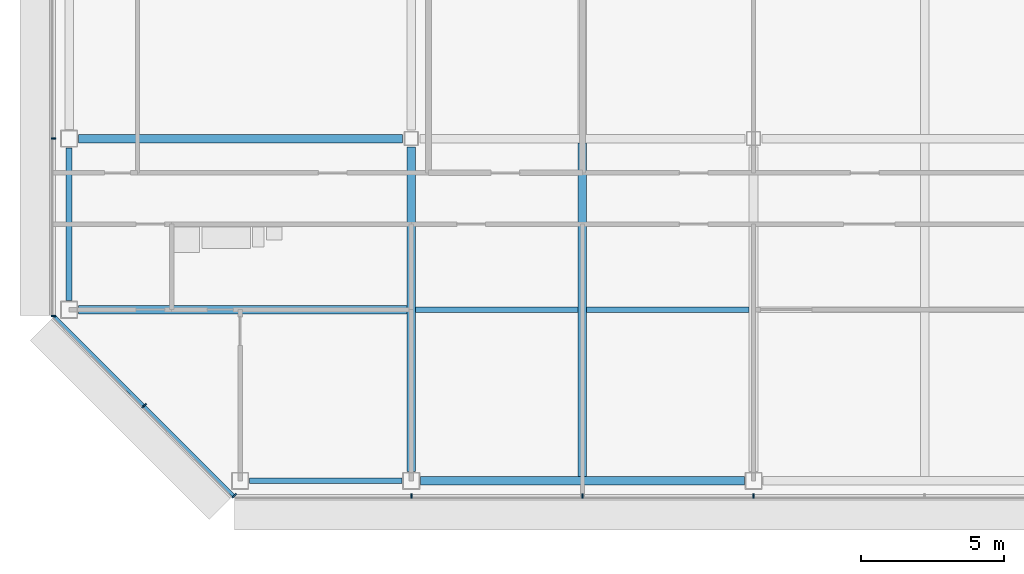
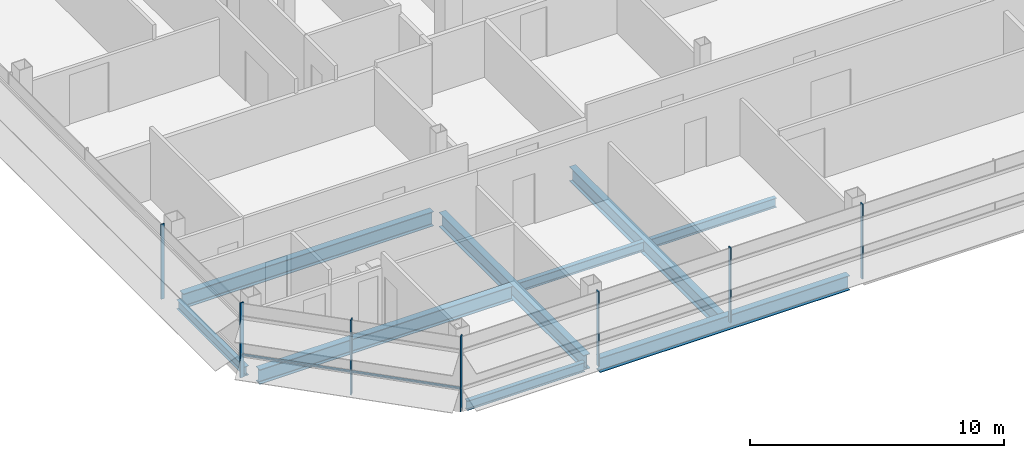
# One storey, part 3 of 27: 9 beams, 8 members, 3 elements without a shape of their own.
"""IFC4 building model written with IfcOpenShell, lengths in metres."""

from ifc_helpers import new_model, si_unit, direction, frame, origin, origin_2d, place, context, subcontext, project, spatial, rectangle, i_section, extrude, material, material_profile, profile_set, type_object, element, aggregate, save


model = new_model("IFC4")

# Units and contexts
model_context = context("Model", 3, precision=1e-05, world=origin(), true_north=direction((0.0, 1.0)))
body_context = subcontext(model_context, "Body", "Model", "MODEL_VIEW")
ifc_project = project(units=[si_unit("LENGTHUNIT", "METRE"), si_unit("AREAUNIT", "SQUARE_METRE"), si_unit("VOLUMEUNIT", "CUBIC_METRE"), si_unit("PLANEANGLEUNIT", "RADIAN"), si_unit("MASSUNIT", "GRAM", prefix="KILO")], contexts=[model_context])

# Site, building, storey
site_placement = place(None, origin())
site = spatial("IfcSite", under=ifc_project, at=site_placement, CompositionType="ELEMENT")
building_placement = place(site_placement, origin())
building = spatial("IfcBuilding", under=site, at=building_placement, Name="Sorahane Residences", CompositionType="ELEMENT")
storey_placement = place(building_placement, frame((0.0, 0.0, 246.800048828125)))
storey = spatial("IfcBuildingStorey", under=building, at=storey_placement, Name="L58", CompositionType="ELEMENT", Elevation=246.800048828125)

# Curtain wall, members
ifc_material_1 = material(Name="Dark low-e glass and black anodised aluminium", Category="aluminium")
curtain_wall_type_1 = type_object("IfcCurtainWallType", Name="Curtain wall CW-1 Typical unitised wall", PredefinedType="NOTDEFINED", material=ifc_material_1)
curtain_wall_1_placement = place(storey_placement, origin())
curtain_wall_1 = element("IfcCurtainWall", 1, at=curtain_wall_1_placement, inside=storey, type_object=curtain_wall_type_1, Name="CW-1 curtain wall L58 S1", PredefinedType="NOTDEFINED")
ifc_material_2 = material(Name="Black anodised aluminium", Category="aluminium")
ifc_material_profile_1 = material_profile(ifc_material_2, rectangle(XDim=0.159912109375, YDim=0.050048828125, at=origin_2d()), Name="Curtain wall mullion CW-1 black anodised aluminium 50x160")
ifc_profile_set_1 = profile_set([ifc_material_profile_1], Name="Black anodised aluminium")
member_type_1 = type_object("IfcMemberType", Name="Curtain wall mullion CW-1 black anodised aluminium 50x160", PredefinedType="MULLION", material=ifc_profile_set_1)
member_1_placement = place(storey_placement, frame((0.0, -0.5400390625, -0.179931640625), z_axis=(0.0, 0.0, 1.0), x_axis=(0.0, -1.0, 0.0)))
member_1 = element("IfcMember", 2, at=member_1_placement, type_object=member_type_1, Name="CW-1 mullion L58 S1.2", PredefinedType="MULLION", context=body_context, shape_type="SweptSolid", body=[
    extrude(rectangle(XDim=0.159912109375, YDim=0.050048828125, at=origin_2d()), origin(), (0.0, 0.0, 1.0), 3.599853515625),
])
member_2_placement = place(storey_placement, frame((6.0, -0.5400390625, -0.179931640625), z_axis=(0.0, 0.0, 1.0), x_axis=(0.0, -1.0, 0.0)))
member_2 = element("IfcMember", 3, at=member_2_placement, type_object=member_type_1, Name="CW-1 mullion L58 S1.3", PredefinedType="MULLION", context=body_context, shape_type="SweptSolid", body=[
    extrude(rectangle(XDim=0.159912109375, YDim=0.050048828125, at=origin_2d()), origin(), (0.0, 0.0, 1.0), 3.599853515625),
])
member_3_placement = place(storey_placement, frame((12.0, -0.5400390625, -0.179931640625), z_axis=(0.0, 0.0, 1.0), x_axis=(0.0, -1.0, 0.0)))
member_3 = element("IfcMember", 4, at=member_3_placement, type_object=member_type_1, Name="CW-1 mullion L58 S1.4", PredefinedType="MULLION", context=body_context, shape_type="SweptSolid", body=[
    extrude(rectangle(XDim=0.159912109375, YDim=0.050048828125, at=origin_2d()), origin(), (0.0, 0.0, 1.0), 3.599853515625),
])
aggregate(curtain_wall_1, [member_1, member_2, member_3])

curtain_wall_2_placement = place(storey_placement, origin())
curtain_wall_2 = element("IfcCurtainWall", 5, at=curtain_wall_2_placement, inside=storey, type_object=curtain_wall_type_1, Name="CW-1 curtain wall L58 W1", PredefinedType="NOTDEFINED")
member_4_placement = place(storey_placement, frame((-12.5400390625, 12.0, -0.179931640625), z_axis=(0.0, 0.0, 1.0), x_axis=(-1.0, 0.0, 0.0)))
member_4 = element("IfcMember", 6, at=member_4_placement, type_object=member_type_1, Name="CW-1 mullion L58 W1.6", PredefinedType="MULLION", context=body_context, shape_type="SweptSolid", body=[
    extrude(rectangle(XDim=0.159912109375, YDim=0.050048828125, at=origin_2d()), origin(), (0.0, 0.0, 1.0), 3.599853515625),
])
member_5_placement = place(storey_placement, frame((-12.5400390625, 5.7763671875, -0.179931640625), z_axis=(0.0, 0.0, 1.0), x_axis=(-1.0, 0.0, 0.0)))
member_5 = element("IfcMember", 7, at=member_5_placement, type_object=member_type_1, Name="CW-1 mullion L58 W1.7", PredefinedType="MULLION", context=body_context, shape_type="SweptSolid", body=[
    extrude(rectangle(XDim=0.159912109375, YDim=0.050048828125, at=origin_2d()), origin(), (0.0, 0.0, 1.0), 3.599853515625),
])
aggregate(curtain_wall_2, [member_4, member_5])

ifc_material_3 = material(Name="Dark low-e glass and black anodised aluminium", Category="aluminium")
curtain_wall_type_2 = type_object("IfcCurtainWallType", Name="Curtain wall CW-2 Chamfer unitised wall", PredefinedType="NOTDEFINED", material=ifc_material_3)
curtain_wall_3_placement = place(storey_placement, origin())
curtain_wall_3 = element("IfcCurtainWall", 8, at=curtain_wall_3_placement, inside=storey, type_object=curtain_wall_type_2, Name="CW-2 curtain wall L58 SW1", PredefinedType="NOTDEFINED")
ifc_material_4 = material(Name="Black anodised aluminium", Category="aluminium")
ifc_material_profile_2 = material_profile(ifc_material_4, rectangle(XDim=0.199951171875, YDim=0.050048828125, at=origin_2d()), Name="Curtain wall mullion CW-2 black anodised aluminium 50x200")
ifc_profile_set_2 = profile_set([ifc_material_profile_2], Name="Black anodised aluminium")
member_type_2 = type_object("IfcMemberType", Name="Curtain wall mullion CW-2 black anodised aluminium 50x200", PredefinedType="MULLION", material=ifc_profile_set_2)
member_6_placement = place(storey_placement, frame((-9.36767578125, 2.63232421875, -0.179931640625), z_axis=(0.0, 0.0, 1.0), x_axis=(-0.707106781187, -0.707106781187, 0.0)))
member_6 = element("IfcMember", 9, at=member_6_placement, type_object=member_type_2, Name="CW-2 mullion L58 SW1.2", PredefinedType="MULLION", context=body_context, shape_type="SweptSolid", body=[
    extrude(rectangle(XDim=0.199951171875, YDim=0.050048828125, at=origin_2d()), origin(), (0.0, 0.0, 1.0), 3.599853515625),
])
member_7_placement = place(storey_placement, frame((-6.209716796875, -0.525634765625, -0.179931640625), z_axis=(0.0, 0.0, 1.0), x_axis=(-0.707106781187, -0.707106781187, 0.0)))
member_7 = element("IfcMember", 10, at=member_7_placement, type_object=member_type_2, Name="CW-2 mullion L58 SW1.3", PredefinedType="MULLION", context=body_context, shape_type="SweptSolid", body=[
    extrude(rectangle(XDim=0.199951171875, YDim=0.050048828125, at=origin_2d()), origin(), (0.0, 0.0, 1.0), 3.599853515625),
])
ifc_material_5 = material(Name="Black anodised aluminium", Category="aluminium")
ifc_material_profile_3 = material_profile(ifc_material_5, rectangle(XDim=0.10009765625, YDim=0.06005859375, at=origin_2d()), Name="Curtain wall transom CW-2 black anodised aluminium 60x100")
ifc_profile_set_3 = profile_set([ifc_material_profile_3], Name="Black anodised aluminium")
member_type_3 = type_object("IfcMemberType", Name="Curtain wall transom CW-2 black anodised aluminium 60x100", PredefinedType="USERDEFINED", material=ifc_profile_set_3)
member_8_placement = place(storey_placement, frame((-12.51513671875, 5.765625, 0.89990234375), z_axis=(0.707106781187, -0.707106781187, 0.0), x_axis=(0.707106781187, 0.707106781187, 0.0)))
member_8 = element("IfcMember", 11, at=member_8_placement, type_object=member_type_3, Name="CW-2 transom L58 SW1", ObjectType="TRANSOM", PredefinedType="USERDEFINED", context=body_context, shape_type="SweptSolid", body=[
    extrude(rectangle(XDim=0.10009765625, YDim=0.06005859375, at=origin_2d()), origin(), (0.0, 0.0, 1.0), 8.88232421875),
])
aggregate(curtain_wall_3, [member_6, member_7, member_8])

# Beams
ifc_material_6 = material(Name="Steel Q355B", Category="steel")
ifc_material_profile_4 = material_profile(ifc_material_6, i_section(OverallWidth=0.199951171875, OverallDepth=0.449951171875, WebThickness=0.009033203125, FlangeThickness=0.013916015625, FilletRadius=0.02001953125, at=origin_2d()), Name="HN 450x200x9x14")
ifc_profile_set_4 = profile_set([ifc_material_profile_4], Name="Steel Q355B")
beam_type_1 = type_object("IfcBeamType", Name="Steel floor beam HN 450x200x9x14 Q355B", PredefinedType="BEAM", material=ifc_profile_set_4)
for number, where, z_axis, x_axis, name in (
    (12, (-5.675048828125, 0.0, -0.405029296875), (1.0, 0.0, 0.0), (0.0, 1.0, 0.0), "Beam L58 000"),
    (13, (-12.0, 6.324951171875, -0.405029296875), (0.0, 1.0, 0.0), (-1.0, 0.0, 0.0), "Beam L58 020"),
):
    element("IfcBeam", number, at=place(storey_placement, frame(where, z_axis=z_axis, x_axis=x_axis)), inside=storey, type_object=beam_type_1, Name=name, PredefinedType="BEAM", context=body_context, shape_type="SweptSolid", body=[
        extrude(i_section(OverallWidth=0.199951171875, OverallDepth=0.449951171875, WebThickness=0.009033203125, FlangeThickness=0.013916015625, FilletRadius=0.02001953125, at=origin_2d()), origin(), (0.0, 0.0, 1.0), 5.35009765625),
    ])
for number, where, z_axis, x_axis, name in (
    (14, (0.14990234375, 6.0, -0.405029296875), (1.0, 0.0, 0.0), (0.0, 1.0, 0.0), "Beam L58 069"),
    (15, (6.14990234375, 6.0, -0.405029296875), (1.0, 0.0, 0.0), (0.0, 1.0, 0.0), "Beam L58 070"),
):
    element("IfcBeam", number, at=place(storey_placement, frame(where, z_axis=z_axis, x_axis=x_axis)), inside=storey, type_object=beam_type_1, Name=name, PredefinedType="BEAM", context=body_context, shape_type="SweptSolid", body=[
        extrude(i_section(OverallWidth=0.199951171875, OverallDepth=0.449951171875, WebThickness=0.009033203125, FlangeThickness=0.013916015625, FilletRadius=0.02001953125, at=origin_2d()), origin(), (0.0, 0.0, 1.0), 5.7001953125),
    ])
ifc_material_7 = material(Name="Steel Q355B", Category="steel")
ifc_material_profile_5 = material_profile(ifc_material_7, i_section(OverallWidth=0.300048828125, OverallDepth=0.699951171875, WebThickness=0.012939453125, FlangeThickness=0.02392578125, FilletRadius=0.028076171875, at=origin_2d()), Name="HN 700x300x13x24")
ifc_profile_set_5 = profile_set([ifc_material_profile_5], Name="Steel Q355B")
beam_type_2 = type_object("IfcBeamType", Name="Steel floor beam HN 700x300x13x24 Q355B", PredefinedType="BEAM", material=ifc_profile_set_5)
beam_1_placement = place(storey_placement, frame((0.324951171875, 0.0, -0.530029296875), z_axis=(1.0, 0.0, 0.0), x_axis=(0.0, 1.0, 0.0)))
element("IfcBeam", 16, at=beam_1_placement, inside=storey, type_object=beam_type_2, Name="Beam L58 001", PredefinedType="BEAM", context=body_context, shape_type="SweptSolid", body=[
    extrude(i_section(OverallWidth=0.300048828125, OverallDepth=0.699951171875, WebThickness=0.012939453125, FlangeThickness=0.02392578125, FilletRadius=0.028076171875, at=origin_2d()), origin(), (0.0, 0.0, 1.0), 11.35009765625),
])
for number, where, z_axis, x_axis, name in (
    (17, (-11.675048828125, 12.0, -0.530029296875), (1.0, 0.0, 0.0), (0.0, 1.0, 0.0), "Beam L58 005"),
    (18, (0.0, 0.324951171875, -0.530029296875), (0.0, 1.0, 0.0), (-1.0, 0.0, 0.0), "Beam L58 024"),
):
    element("IfcBeam", number, at=place(storey_placement, frame(where, z_axis=z_axis, x_axis=x_axis)), inside=storey, type_object=beam_type_2, Name=name, PredefinedType="BEAM", context=body_context, shape_type="SweptSolid", body=[
        extrude(i_section(OverallWidth=0.300048828125, OverallDepth=0.699951171875, WebThickness=0.012939453125, FlangeThickness=0.02392578125, FilletRadius=0.028076171875, at=origin_2d()), origin(), (0.0, 0.0, 1.0), 11.375),
    ])
beam_2_placement = place(storey_placement, frame((6.0, 0.14990234375, -0.530029296875), z_axis=(0.0, 1.0, 0.0), x_axis=(-1.0, 0.0, 0.0)))
element("IfcBeam", 19, at=beam_2_placement, inside=storey, type_object=beam_type_2, Name="Beam L58 028", PredefinedType="BEAM", context=body_context, shape_type="SweptSolid", body=[
    extrude(i_section(OverallWidth=0.300048828125, OverallDepth=0.699951171875, WebThickness=0.012939453125, FlangeThickness=0.02392578125, FilletRadius=0.028076171875, at=origin_2d()), origin(), (0.0, 0.0, 1.0), 11.7001953125),
])
beam_3_placement = place(storey_placement, frame((-11.675048828125, 6.0, -0.530029296875), z_axis=(1.0, 0.0, 0.0), x_axis=(0.0, 1.0, 0.0)))
element("IfcBeam", 20, at=beam_3_placement, inside=storey, type_object=beam_type_2, Name="Beam L58 068", PredefinedType="BEAM", context=body_context, shape_type="SweptSolid", body=[
    extrude(i_section(OverallWidth=0.300048828125, OverallDepth=0.699951171875, WebThickness=0.012939453125, FlangeThickness=0.02392578125, FilletRadius=0.028076171875, at=origin_2d()), origin(), (0.0, 0.0, 1.0), 11.525146484375),
])

save(model, "model.ifc")
